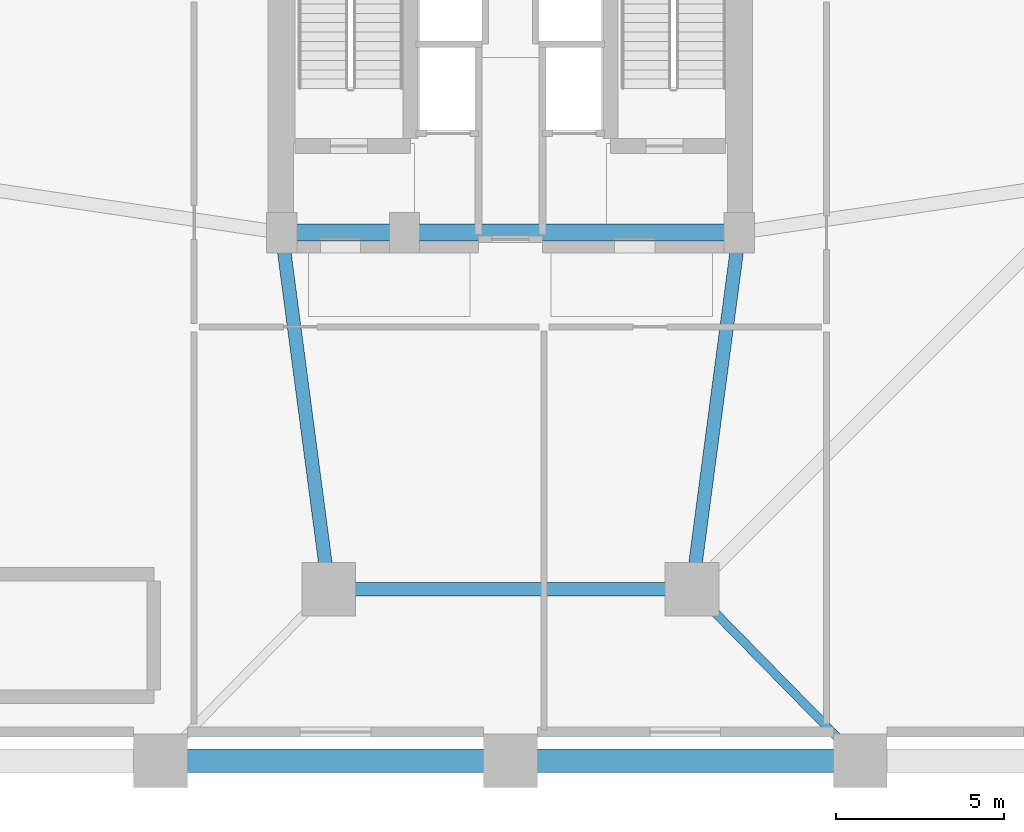
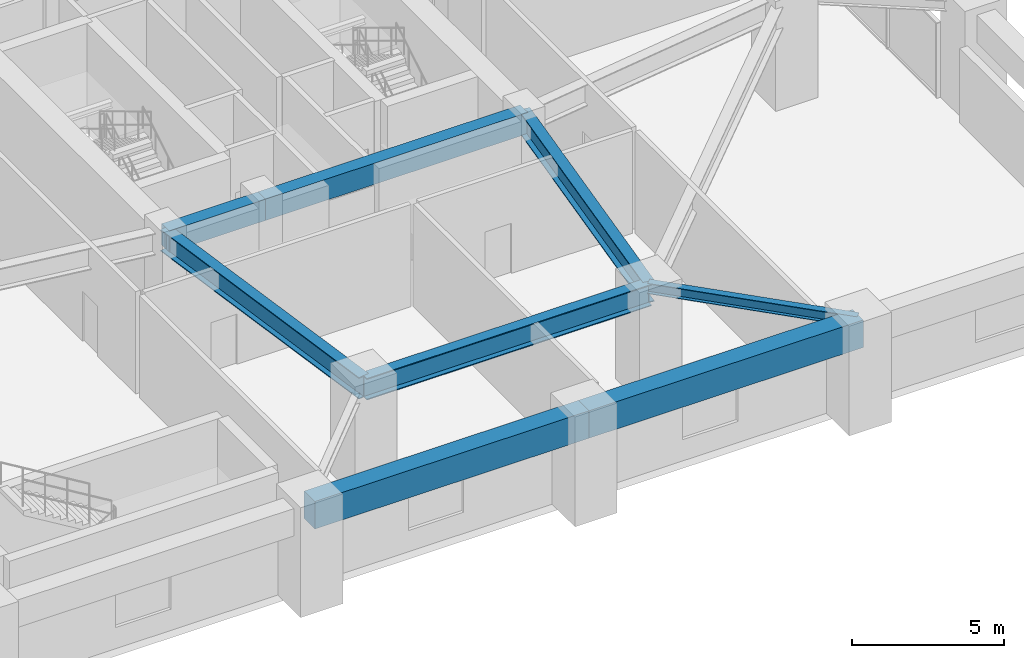
# One storey, part 3 of 22: 8 beams.
"""IFC4 building model written with IfcOpenShell, lengths in metres."""

from ifc_helpers import new_model, si_unit, direction, frame, origin, origin_2d, place, context, subcontext, project, spatial, rectangle, i_section, extrude, material, material_profile, profile_set, type_object, element, save


model = new_model("IFC4")

# Units and contexts
model_context = context("Model", 3, precision=1e-05, world=origin(), true_north=direction((0.0, 1.0)))
body_context = subcontext(model_context, "Body", "Model", "MODEL_VIEW")
ifc_project = project(units=[si_unit("LENGTHUNIT", "METRE"), si_unit("AREAUNIT", "SQUARE_METRE"), si_unit("VOLUMEUNIT", "CUBIC_METRE"), si_unit("PLANEANGLEUNIT", "RADIAN"), si_unit("MASSUNIT", "GRAM", prefix="KILO")], contexts=[model_context])

# Site, building, storey
site_placement = place(None, origin())
site = spatial("IfcSite", under=ifc_project, at=site_placement, CompositionType="ELEMENT")
building_placement = place(site_placement, origin())
building = spatial("IfcBuilding", under=site, at=building_placement, Name="Veraguas Prism Commons", CompositionType="ELEMENT")
storey_placement = place(building_placement, frame((0.0, 0.0, 5.199951171875)))
storey = spatial("IfcBuildingStorey", under=building, at=storey_placement, Name="L01", CompositionType="ELEMENT", Elevation=5.199951171875)

# Beams
ifc_material_1 = material(Name="Steel ASTM A992 Grade 50", Category="steel")
ifc_material_profile_1 = material_profile(ifc_material_1, i_section(OverallWidth=0.403076171875, OverallDepth=0.867919921875, WebThickness=0.02099609375, FlangeThickness=0.03564453125, at=origin_2d()), Name="W840X359")
ifc_profile_set_1 = profile_set([ifc_material_profile_1], Name="Steel ASTM A992 Grade 50")
beam_type_1 = type_object("IfcBeamType", Name="Concourse Primary Girder W840x359", PredefinedType="BEAM", material=ifc_profile_set_1)
for number, where, z_axis, x_axis, name in (
    (1, (18.60009765625, 6.39990234375, 3.666015625), (-0.130950648891, 0.991388888154, 0.0), (-0.991388888154, -0.130950648891, 0.0), "Concourse Radial Girder L01-TMR07"),
    (2, (29.39990234375, 6.39990234375, 3.666015625), (0.130950648891, 0.991388888154, 0.0), (-0.991388888154, 0.130950648891, 0.0), "Concourse Radial Girder L01-TMR08"),
):
    element("IfcBeam", number, at=place(storey_placement, frame(where, z_axis=z_axis, x_axis=x_axis)), inside=storey, type_object=beam_type_1, Name=name, PredefinedType="BEAM", context=body_context, shape_type="SweptSolid", body=[
        extrude(i_section(OverallWidth=0.403076171875, OverallDepth=0.867919921875, WebThickness=0.02099609375, FlangeThickness=0.03564453125, at=origin_2d()), origin(), (0.0, 0.0, 1.0), 10.692138671875),
    ])
beam_1_placement = place(storey_placement, frame((18.60009765625, 6.39990234375, 3.666015625), z_axis=(1.0, 0.0, 0.0), x_axis=(0.0, 1.0, 0.0)))
element("IfcBeam", 3, at=beam_1_placement, inside=storey, type_object=beam_type_1, Name="Concourse Ring Girder L01-TMH07", PredefinedType="BEAM", context=body_context, shape_type="SweptSolid", body=[
    extrude(i_section(OverallWidth=0.403076171875, OverallDepth=0.867919921875, WebThickness=0.02099609375, FlangeThickness=0.03564453125, at=origin_2d()), origin(), (0.0, 0.0, 1.0), 10.7998046875),
])
ifc_material_2 = material(Name="Concrete C50/60", Category="concrete")
ifc_material_profile_2 = material_profile(ifc_material_2, rectangle(XDim=0.5, YDim=0.85009765625, at=origin_2d()), Name="RC500X850")
ifc_profile_set_2 = profile_set([ifc_material_profile_2], Name="Concrete C50/60")
beam_type_2 = type_object("IfcBeamType", Name="Core Coupling Beam RC 500x850", PredefinedType="BEAM", material=ifc_profile_set_2)
beam_2_placement = place(storey_placement, frame((17.199951171875, 17.0, 3.675048828125), z_axis=(1.0, 0.0, 0.0), x_axis=(0.0, 1.0, 0.0)))
element("IfcBeam", 4, at=beam_2_placement, inside=storey, type_object=beam_type_2, Name="Core Coupling Beam L01-CRS1", PredefinedType="BEAM", context=body_context, shape_type="SweptSolid", body=[
    extrude(rectangle(XDim=0.5, YDim=0.85009765625, at=origin_2d()), origin(), (0.0, 0.0, 1.0), 3.650146484375),
])
beam_3_placement = place(storey_placement, frame((20.85009765625, 17.0, 3.675048828125), z_axis=(1.0, 0.0, 0.0), x_axis=(0.0, 1.0, 0.0)))
element("IfcBeam", 5, at=beam_3_placement, inside=storey, type_object=beam_type_2, Name="Core Coupling Beam L01-CRS2", PredefinedType="BEAM", context=body_context, shape_type="SweptSolid", body=[
    extrude(rectangle(XDim=0.5, YDim=0.85009765625, at=origin_2d()), origin(), (0.0, 0.0, 1.0), 9.949951171875),
])
ifc_material_profile_3 = material_profile(ifc_material_1, i_section(OverallWidth=0.260986328125, OverallDepth=0.419921875, WebThickness=0.01171875, FlangeThickness=0.019287109375, at=origin_2d()), Name="W410X114")
ifc_profile_set_3 = profile_set([ifc_material_profile_3], Name="Steel ASTM A992 Grade 50")
beam_type_3 = type_object("IfcBeamType", Name="Lower Floor Joist W410x114", PredefinedType="JOIST", material=ifc_profile_set_3)
beam_4_placement = place(storey_placement, frame((29.39990234375, 6.39990234375, 3.89013671875), z_axis=(0.700081663946, -0.71406278702, 0.0), x_axis=(0.71406278702, 0.700081663946, 0.0)))
element("IfcBeam", 6, at=beam_4_placement, inside=storey, type_object=beam_type_3, Name="Podium Tie Beam L01-TMT08", PredefinedType="JOIST", context=body_context, shape_type="SweptSolid", body=[
    extrude(i_section(OverallWidth=0.260986328125, OverallDepth=0.419921875, WebThickness=0.01171875, FlangeThickness=0.019287109375, at=origin_2d()), origin(), (0.0, 0.0, 1.0), 7.14208984375),
])
ifc_material_profile_4 = material_profile(ifc_material_2, rectangle(XDim=0.699951171875, YDim=1.10009765625, at=origin_2d()), Name="RC700X1100")
ifc_profile_set_4 = profile_set([ifc_material_profile_4], Name="Concrete C50/60")
beam_type_4 = type_object("IfcBeamType", Name="Podium Primary Girder RC 700x1100", PredefinedType="BEAM", material=ifc_profile_set_4)
for number, where, z_axis, x_axis, name in (
    (7, (13.60009765625, 1.300048828125, 3.550048828125), (1.0, 0.0, 0.0), (0.0, 1.0, 0.0), "Podium Perimeter Girder L01-PDR02"),
    (8, (24.0, 1.300048828125, 3.550048828125), (1.0, 0.0, 0.0), (0.0, 1.0, 0.0), "Podium Perimeter Girder L01-PDR03"),
):
    element("IfcBeam", number, at=place(storey_placement, frame(where, z_axis=z_axis, x_axis=x_axis)), inside=storey, type_object=beam_type_4, Name=name, PredefinedType="BEAM", context=body_context, shape_type="SweptSolid", body=[
        extrude(rectangle(XDim=0.699951171875, YDim=1.10009765625, at=origin_2d()), origin(), (0.0, 0.0, 1.0), 10.39990234375),
    ])

save(model, "model.ifc")
